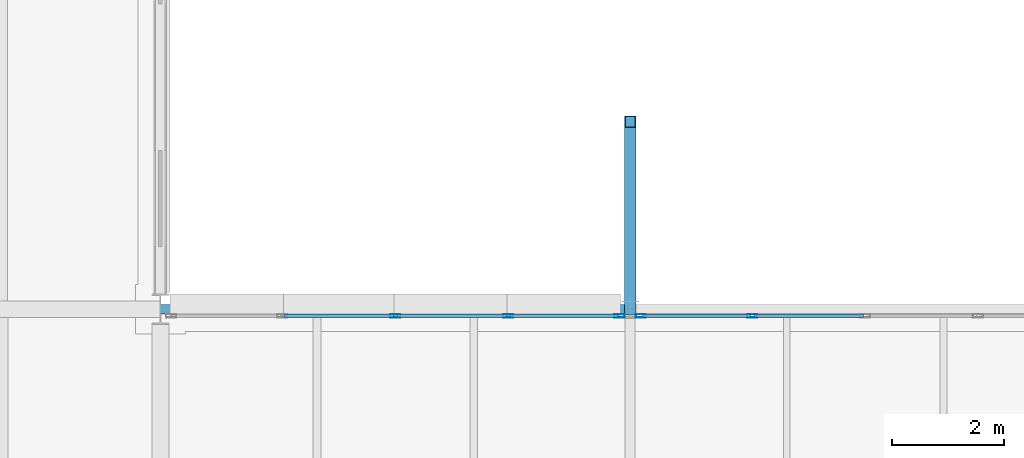
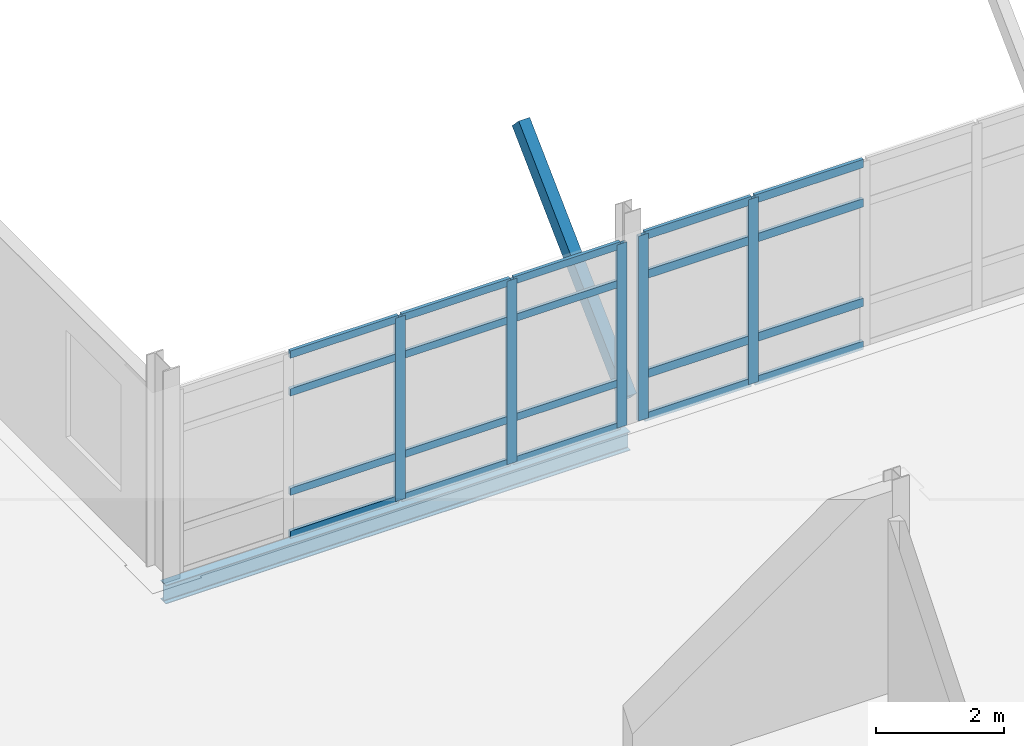
# One storey, part 27 of 131: 26 members, 1 beam, 2 elements without a shape of their own.
"""IFC4 building model written with IfcOpenShell, lengths in metres."""

from ifc_helpers import new_model, si_unit, direction, frame, origin, origin_2d, place, context, subcontext, project, spatial, hollow_rectangle, i_section, extrude, material, material_profile, profile_set, type_object, element, aggregate, save


model = new_model("IFC4")

# Units and contexts
model_context = context("Model", 3, precision=1e-05, world=origin(), true_north=direction((0.0, 1.0)))
body_context = subcontext(model_context, "Body", "Model", "MODEL_VIEW")
ifc_project = project(units=[si_unit("LENGTHUNIT", "METRE"), si_unit("AREAUNIT", "SQUARE_METRE"), si_unit("VOLUMEUNIT", "CUBIC_METRE"), si_unit("PLANEANGLEUNIT", "RADIAN"), si_unit("MASSUNIT", "GRAM", prefix="KILO")], contexts=[model_context])

# Site, building, storey
site_placement = place(None, origin())
site = spatial("IfcSite", under=ifc_project, at=site_placement, CompositionType="ELEMENT")
building_placement = place(site_placement, origin())
building = spatial("IfcBuilding", under=site, at=building_placement, Name="Mersafa Astral City Hall", CompositionType="ELEMENT")
storey_placement = place(building_placement, frame((0.0, 0.0, 13.949951171875)))
storey = spatial("IfcBuildingStorey", under=building, at=storey_placement, Name="L03", CompositionType="ELEMENT", Elevation=13.949951171875)

# Curtain wall, members
ifc_material_1 = material(Name="Anodised bronze aluminium framing", Category="aluminium")
curtain_wall_type_1 = type_object("IfcCurtainWallType", Name="ENV-CW-1", PredefinedType="USERDEFINED", material=ifc_material_1)
curtain_wall_1_placement = place(storey_placement, origin())
curtain_wall_1 = element("IfcCurtainWall", 1, at=curtain_wall_1_placement, inside=storey, type_object=curtain_wall_type_1, Name="L03 Unitised solar curtain wall 150", ObjectType="UNITISED CURTAIN WALL", PredefinedType="USERDEFINED")
ifc_material_profile_1 = material_profile(ifc_material_1, hollow_rectangle(XDim=0.06005859375, YDim=0.179931640625, WallThickness=0.00390625, at=origin_2d()), Name="RHS 60x180x4")
ifc_profile_set_1 = profile_set([ifc_material_profile_1], Name="Anodised bronze aluminium framing")
member_type_1 = type_object("IfcMemberType", Name="ENV-CW-MUL-1", PredefinedType="MULLION", material=ifc_profile_set_1)
member_1_placement = place(storey_placement, frame((128.180908203125, 33.47998046875, -0.001953125), z_axis=(0.0, 0.0, 1.0), x_axis=(0.0, -1.0, 0.0)))
member_1 = element("IfcMember", 2, at=member_1_placement, type_object=member_type_1, Name="CW-1 mullion 4", PredefinedType="MULLION", context=body_context, shape_type="SweptSolid", body=[
    extrude(hollow_rectangle(XDim=0.06005859375, YDim=0.179931640625, WallThickness=0.00390625, at=origin_2d()), origin(), (0.0, 0.0, 1.0), 3.533935546875),
])
member_2_placement = place(storey_placement, frame((126.19189453125, 33.47998046875, -0.001953125), z_axis=(0.0, 0.0, 1.0), x_axis=(0.0, -1.0, 0.0)))
member_2 = element("IfcMember", 3, at=member_2_placement, type_object=member_type_1, Name="CW-1 mullion 5", PredefinedType="MULLION", context=body_context, shape_type="SweptSolid", body=[
    extrude(hollow_rectangle(XDim=0.06005859375, YDim=0.179931640625, WallThickness=0.00390625, at=origin_2d()), origin(), (0.0, 0.0, 1.0), 3.533935546875),
])

curtain_wall_type_2 = type_object("IfcCurtainWallType", Name="ENV-CW-2", PredefinedType="USERDEFINED", material=ifc_material_1)
curtain_wall_2_placement = place(storey_placement, origin())
curtain_wall_2 = element("IfcCurtainWall", 4, at=curtain_wall_2_placement, inside=storey, type_object=curtain_wall_type_2, Name="L03 Unitised solar curtain wall 151", ObjectType="UNITISED CURTAIN WALL", PredefinedType="USERDEFINED")
member_3_placement = place(storey_placement, frame((125.80810546875, 33.47998046875, -0.001953125), z_axis=(0.0, 0.0, 1.0), x_axis=(0.0, -1.0, 0.0)))
member_3 = element("IfcMember", 5, at=member_3_placement, type_object=member_type_1, Name="CW-2 mullion 1", PredefinedType="MULLION", context=body_context, shape_type="SweptSolid", body=[
    extrude(hollow_rectangle(XDim=0.06005859375, YDim=0.179931640625, WallThickness=0.00390625, at=origin_2d()), origin(), (0.0, 0.0, 1.0), 3.50390625),
])
member_4_placement = place(storey_placement, frame((123.819091796875, 33.47998046875, -0.001953125), z_axis=(0.0, 0.0, 1.0), x_axis=(0.0, -1.0, 0.0)))
member_4 = element("IfcMember", 6, at=member_4_placement, type_object=member_type_1, Name="CW-2 mullion 2", PredefinedType="MULLION", context=body_context, shape_type="SweptSolid", body=[
    extrude(hollow_rectangle(XDim=0.06005859375, YDim=0.179931640625, WallThickness=0.00390625, at=origin_2d()), origin(), (0.0, 0.0, 1.0), 3.50390625),
])
member_5_placement = place(storey_placement, frame((121.800048828125, 33.47998046875, -0.001953125), z_axis=(0.0, 0.0, 1.0), x_axis=(0.0, -1.0, 0.0)))
member_5 = element("IfcMember", 7, at=member_5_placement, type_object=member_type_1, Name="CW-2 mullion 3", PredefinedType="MULLION", context=body_context, shape_type="SweptSolid", body=[
    extrude(hollow_rectangle(XDim=0.06005859375, YDim=0.179931640625, WallThickness=0.00390625, at=origin_2d()), origin(), (0.0, 0.0, 1.0), 3.50390625),
])
ifc_material_profile_2 = material_profile(ifc_material_1, hollow_rectangle(XDim=0.06005859375, YDim=0.139892578125, WallThickness=0.00390625, at=origin_2d()), Name="RHS 60x140x4")
ifc_profile_set_2 = profile_set([ifc_material_profile_2], Name="Anodised bronze aluminium framing")
member_type_2 = type_object("IfcMemberType", Name="ENV-CW-TRN-1", PredefinedType="USERDEFINED", material=ifc_profile_set_2)
member_6_placement = place(storey_placement, frame((125.778076171875, 33.47998046875, 0.028076171875), z_axis=(-1.0, 0.0, 0.0), x_axis=(0.0, -1.0, 0.0)))
member_6 = element("IfcMember", 8, at=member_6_placement, type_object=member_type_2, Name="CW-2 transom 1.1", ObjectType="TRANSOM", PredefinedType="USERDEFINED", context=body_context, shape_type="SweptSolid", body=[
    extrude(hollow_rectangle(XDim=0.06005859375, YDim=0.139892578125, WallThickness=0.00390625, at=origin_2d()), origin(), (0.0, 0.0, 1.0), 1.928955078125),
])
member_7_placement = place(storey_placement, frame((125.778076171875, 33.47998046875, 0.85009765625), z_axis=(-1.0, 0.0, 0.0), x_axis=(0.0, -1.0, 0.0)))
member_7 = element("IfcMember", 9, at=member_7_placement, type_object=member_type_2, Name="CW-2 transom 1.2", ObjectType="TRANSOM", PredefinedType="USERDEFINED", context=body_context, shape_type="SweptSolid", body=[
    extrude(hollow_rectangle(XDim=0.06005859375, YDim=0.139892578125, WallThickness=0.00390625, at=origin_2d()), origin(), (0.0, 0.0, 1.0), 1.928955078125),
])
member_8_placement = place(storey_placement, frame((125.778076171875, 33.47998046875, 2.75), z_axis=(-1.0, 0.0, 0.0), x_axis=(0.0, -1.0, 0.0)))
member_8 = element("IfcMember", 10, at=member_8_placement, type_object=member_type_2, Name="CW-2 transom 1.3", ObjectType="TRANSOM", PredefinedType="USERDEFINED", context=body_context, shape_type="SweptSolid", body=[
    extrude(hollow_rectangle(XDim=0.06005859375, YDim=0.139892578125, WallThickness=0.00390625, at=origin_2d()), origin(), (0.0, 0.0, 1.0), 1.928955078125),
])
member_9_placement = place(storey_placement, frame((125.778076171875, 33.47998046875, 3.47216796875), z_axis=(-1.0, 0.0, 0.0), x_axis=(0.0, -1.0, 0.0)))
member_9 = element("IfcMember", 11, at=member_9_placement, type_object=member_type_2, Name="CW-2 transom 1.4", ObjectType="TRANSOM", PredefinedType="USERDEFINED", context=body_context, shape_type="SweptSolid", body=[
    extrude(hollow_rectangle(XDim=0.06005859375, YDim=0.139892578125, WallThickness=0.00390625, at=origin_2d()), origin(), (0.0, 0.0, 1.0), 1.928955078125),
])
member_10_placement = place(storey_placement, frame((123.7890625, 33.47998046875, 0.028076171875), z_axis=(-1.0, 0.0, 0.0), x_axis=(0.0, -1.0, 0.0)))
member_10 = element("IfcMember", 12, at=member_10_placement, type_object=member_type_2, Name="CW-2 transom 2.1", ObjectType="TRANSOM", PredefinedType="USERDEFINED", context=body_context, shape_type="SweptSolid", body=[
    extrude(hollow_rectangle(XDim=0.06005859375, YDim=0.139892578125, WallThickness=0.00390625, at=origin_2d()), origin(), (0.0, 0.0, 1.0), 1.958984375),
])
member_11_placement = place(storey_placement, frame((123.7890625, 33.47998046875, 0.85009765625), z_axis=(-1.0, 0.0, 0.0), x_axis=(0.0, -1.0, 0.0)))
member_11 = element("IfcMember", 13, at=member_11_placement, type_object=member_type_2, Name="CW-2 transom 2.2", ObjectType="TRANSOM", PredefinedType="USERDEFINED", context=body_context, shape_type="SweptSolid", body=[
    extrude(hollow_rectangle(XDim=0.06005859375, YDim=0.139892578125, WallThickness=0.00390625, at=origin_2d()), origin(), (0.0, 0.0, 1.0), 1.958984375),
])
member_12_placement = place(storey_placement, frame((123.7890625, 33.47998046875, 2.75), z_axis=(-1.0, 0.0, 0.0), x_axis=(0.0, -1.0, 0.0)))
member_12 = element("IfcMember", 14, at=member_12_placement, type_object=member_type_2, Name="CW-2 transom 2.3", ObjectType="TRANSOM", PredefinedType="USERDEFINED", context=body_context, shape_type="SweptSolid", body=[
    extrude(hollow_rectangle(XDim=0.06005859375, YDim=0.139892578125, WallThickness=0.00390625, at=origin_2d()), origin(), (0.0, 0.0, 1.0), 1.958984375),
])
member_13_placement = place(storey_placement, frame((123.7890625, 33.47998046875, 3.47216796875), z_axis=(-1.0, 0.0, 0.0), x_axis=(0.0, -1.0, 0.0)))
member_13 = element("IfcMember", 15, at=member_13_placement, type_object=member_type_2, Name="CW-2 transom 2.4", ObjectType="TRANSOM", PredefinedType="USERDEFINED", context=body_context, shape_type="SweptSolid", body=[
    extrude(hollow_rectangle(XDim=0.06005859375, YDim=0.139892578125, WallThickness=0.00390625, at=origin_2d()), origin(), (0.0, 0.0, 1.0), 1.958984375),
])
member_14_placement = place(storey_placement, frame((121.77001953125, 33.47998046875, 0.028076171875), z_axis=(-1.0, 0.0, 0.0), x_axis=(0.0, -1.0, 0.0)))
member_14 = element("IfcMember", 16, at=member_14_placement, type_object=member_type_2, Name="CW-2 transom 3.1", ObjectType="TRANSOM", PredefinedType="USERDEFINED", context=body_context, shape_type="SweptSolid", body=[
    extrude(hollow_rectangle(XDim=0.06005859375, YDim=0.139892578125, WallThickness=0.00390625, at=origin_2d()), origin(), (0.0, 0.0, 1.0), 1.958984375),
])
member_15_placement = place(storey_placement, frame((121.77001953125, 33.47998046875, 0.85009765625), z_axis=(-1.0, 0.0, 0.0), x_axis=(0.0, -1.0, 0.0)))
member_15 = element("IfcMember", 17, at=member_15_placement, type_object=member_type_2, Name="CW-2 transom 3.2", ObjectType="TRANSOM", PredefinedType="USERDEFINED", context=body_context, shape_type="SweptSolid", body=[
    extrude(hollow_rectangle(XDim=0.06005859375, YDim=0.139892578125, WallThickness=0.00390625, at=origin_2d()), origin(), (0.0, 0.0, 1.0), 1.958984375),
])
member_16_placement = place(storey_placement, frame((121.77001953125, 33.47998046875, 2.75), z_axis=(-1.0, 0.0, 0.0), x_axis=(0.0, -1.0, 0.0)))
member_16 = element("IfcMember", 18, at=member_16_placement, type_object=member_type_2, Name="CW-2 transom 3.3", ObjectType="TRANSOM", PredefinedType="USERDEFINED", context=body_context, shape_type="SweptSolid", body=[
    extrude(hollow_rectangle(XDim=0.06005859375, YDim=0.139892578125, WallThickness=0.00390625, at=origin_2d()), origin(), (0.0, 0.0, 1.0), 1.958984375),
])
member_17_placement = place(storey_placement, frame((121.77001953125, 33.47998046875, 3.47216796875), z_axis=(-1.0, 0.0, 0.0), x_axis=(0.0, -1.0, 0.0)))
member_17 = element("IfcMember", 19, at=member_17_placement, type_object=member_type_2, Name="CW-2 transom 3.4", ObjectType="TRANSOM", PredefinedType="USERDEFINED", context=body_context, shape_type="SweptSolid", body=[
    extrude(hollow_rectangle(XDim=0.06005859375, YDim=0.139892578125, WallThickness=0.00390625, at=origin_2d()), origin(), (0.0, 0.0, 1.0), 1.958984375),
])
aggregate(curtain_wall_2, [member_3, member_4, member_5, member_6, member_7, member_8, member_9, member_10, member_11, member_12, member_13, member_14, member_15, member_16, member_17])

# Member
ifc_material_profile_3 = material_profile(ifc_material_1, hollow_rectangle(XDim=0.06005859375, YDim=0.159912109375, WallThickness=0.00390625, at=origin_2d()), Name="RHS 60x160x4")
ifc_profile_set_3 = profile_set([ifc_material_profile_3], Name="Anodised bronze aluminium framing")
member_type_3 = type_object("IfcMemberType", Name="ENV-CW-TRN-2", PredefinedType="USERDEFINED", material=ifc_profile_set_3)
member_18_placement = place(storey_placement, frame((130.169921875, 33.47998046875, 0.028076171875), z_axis=(-1.0, 0.0, 0.0), x_axis=(0.0, -1.0, 0.0)))
member_18 = element("IfcMember", 20, at=member_18_placement, type_object=member_type_3, Name="CW-1 transom 3.1", ObjectType="TRANSOM", PredefinedType="USERDEFINED", context=body_context, shape_type="SweptSolid", body=[
    extrude(hollow_rectangle(XDim=0.06005859375, YDim=0.159912109375, WallThickness=0.00390625, at=origin_2d()), origin(), (0.0, 0.0, 1.0), 1.958984375),
])

member_19_placement = place(storey_placement, frame((130.169921875, 33.47998046875, 0.85009765625), z_axis=(-1.0, 0.0, 0.0), x_axis=(0.0, -1.0, 0.0)))
member_19 = element("IfcMember", 21, at=member_19_placement, type_object=member_type_3, Name="CW-1 transom 3.2", ObjectType="TRANSOM", PredefinedType="USERDEFINED", context=body_context, shape_type="SweptSolid", body=[
    extrude(hollow_rectangle(XDim=0.06005859375, YDim=0.159912109375, WallThickness=0.00390625, at=origin_2d()), origin(), (0.0, 0.0, 1.0), 1.958984375),
])

member_20_placement = place(storey_placement, frame((130.169921875, 33.47998046875, 2.75), z_axis=(-1.0, 0.0, 0.0), x_axis=(0.0, -1.0, 0.0)))
member_20 = element("IfcMember", 22, at=member_20_placement, type_object=member_type_3, Name="CW-1 transom 3.3", ObjectType="TRANSOM", PredefinedType="USERDEFINED", context=body_context, shape_type="SweptSolid", body=[
    extrude(hollow_rectangle(XDim=0.06005859375, YDim=0.159912109375, WallThickness=0.00390625, at=origin_2d()), origin(), (0.0, 0.0, 1.0), 1.958984375),
])

member_21_placement = place(storey_placement, frame((130.169921875, 33.47998046875, 3.501953125), z_axis=(-1.0, 0.0, 0.0), x_axis=(0.0, -1.0, 0.0)))
member_21 = element("IfcMember", 23, at=member_21_placement, type_object=member_type_3, Name="CW-1 transom 3.4", ObjectType="TRANSOM", PredefinedType="USERDEFINED", context=body_context, shape_type="SweptSolid", body=[
    extrude(hollow_rectangle(XDim=0.06005859375, YDim=0.159912109375, WallThickness=0.00390625, at=origin_2d()), origin(), (0.0, 0.0, 1.0), 1.958984375),
])

member_22_placement = place(storey_placement, frame((128.15087890625, 33.47998046875, 0.028076171875), z_axis=(-1.0, 0.0, 0.0), x_axis=(0.0, -1.0, 0.0)))
member_22 = element("IfcMember", 24, at=member_22_placement, type_object=member_type_3, Name="CW-1 transom 4.1", ObjectType="TRANSOM", PredefinedType="USERDEFINED", context=body_context, shape_type="SweptSolid", body=[
    extrude(hollow_rectangle(XDim=0.06005859375, YDim=0.159912109375, WallThickness=0.00390625, at=origin_2d()), origin(), (0.0, 0.0, 1.0), 1.928955078125),
])

member_23_placement = place(storey_placement, frame((128.15087890625, 33.47998046875, 0.85009765625), z_axis=(-1.0, 0.0, 0.0), x_axis=(0.0, -1.0, 0.0)))
member_23 = element("IfcMember", 25, at=member_23_placement, type_object=member_type_3, Name="CW-1 transom 4.2", ObjectType="TRANSOM", PredefinedType="USERDEFINED", context=body_context, shape_type="SweptSolid", body=[
    extrude(hollow_rectangle(XDim=0.06005859375, YDim=0.159912109375, WallThickness=0.00390625, at=origin_2d()), origin(), (0.0, 0.0, 1.0), 1.928955078125),
])

member_24_placement = place(storey_placement, frame((128.15087890625, 33.47998046875, 2.75), z_axis=(-1.0, 0.0, 0.0), x_axis=(0.0, -1.0, 0.0)))
member_24 = element("IfcMember", 26, at=member_24_placement, type_object=member_type_3, Name="CW-1 transom 4.3", ObjectType="TRANSOM", PredefinedType="USERDEFINED", context=body_context, shape_type="SweptSolid", body=[
    extrude(hollow_rectangle(XDim=0.06005859375, YDim=0.159912109375, WallThickness=0.00390625, at=origin_2d()), origin(), (0.0, 0.0, 1.0), 1.928955078125),
])

member_25_placement = place(storey_placement, frame((128.15087890625, 33.47998046875, 3.501953125), z_axis=(-1.0, 0.0, 0.0), x_axis=(0.0, -1.0, 0.0)))
member_25 = element("IfcMember", 27, at=member_25_placement, type_object=member_type_3, Name="CW-1 transom 4.4", ObjectType="TRANSOM", PredefinedType="USERDEFINED", context=body_context, shape_type="SweptSolid", body=[
    extrude(hollow_rectangle(XDim=0.06005859375, YDim=0.159912109375, WallThickness=0.00390625, at=origin_2d()), origin(), (0.0, 0.0, 1.0), 1.928955078125),
])

aggregate(curtain_wall_1, [member_1, member_2, member_18, member_19, member_20, member_21, member_22, member_23, member_24, member_25])

# Beam
ifc_material_2 = material(Name="Steel S355", Category="steel")
ifc_material_profile_4 = material_profile(ifc_material_2, i_section(OverallWidth=0.169921875, OverallDepth=0.360107421875, WebThickness=0.008056640625, FlangeThickness=0.0126953125, FilletRadius=0.01806640625, at=origin_2d()), Name="IPE 360")
ifc_profile_set_4 = profile_set([ifc_material_profile_4], Name="Steel S355")
beam_type = type_object("IfcBeamType", Name="STR-BM-SPANDREL-IPE360", PredefinedType="SPANDREL", material=ifc_profile_set_4)
beam_placement = place(storey_placement, frame((117.60302734375, 33.60009765625, -0.3798828125), z_axis=(1.0, 0.0, 0.0), x_axis=(0.0, 1.0, 0.0)))
element("IfcBeam", 28, at=beam_placement, inside=storey, type_object=beam_type, Name="L03 Primary girder X 14-4", PredefinedType="SPANDREL", context=body_context, shape_type="SweptSolid", body=[
    extrude(i_section(OverallWidth=0.169921875, OverallDepth=0.360107421875, WebThickness=0.008056640625, FlangeThickness=0.0126953125, FilletRadius=0.01806640625, at=origin_2d()), origin(), (0.0, 0.0, 1.0), 8.39404296875),
])

# Member
ifc_material_profile_5 = material_profile(ifc_material_2, hollow_rectangle(XDim=0.199951171875, YDim=0.300048828125, WallThickness=0.012451171875, at=origin_2d()), Name="RHS 200x300x12.5")
ifc_profile_set_5 = profile_set([ifc_material_profile_5], Name="Steel S355")
member_type_4 = type_object("IfcMemberType", Name="STR-MBR-STRUT-RHS200X300", PredefinedType="BRACE", material=ifc_profile_set_5)
member_26_placement = place(storey_placement, frame((126.0, 33.60009765625, 0.400146484375), z_axis=(0.0, 0.718795502172, 0.695221566163), x_axis=(-1.0, 0.0, 0.0)))
element("IfcMember", 29, at=member_26_placement, inside=storey, type_object=member_type_4, Name="L03 Raked cosmic eave strut ROOF-T2-V3 N-15", PredefinedType="BRACE", context=body_context, shape_type="SweptSolid", body=[
    extrude(hollow_rectangle(XDim=0.199951171875, YDim=0.300048828125, WallThickness=0.012451171875, at=origin_2d()), origin(), (0.0, 0.0, 1.0), 4.660400390625),
])

save(model, "model.ifc")
